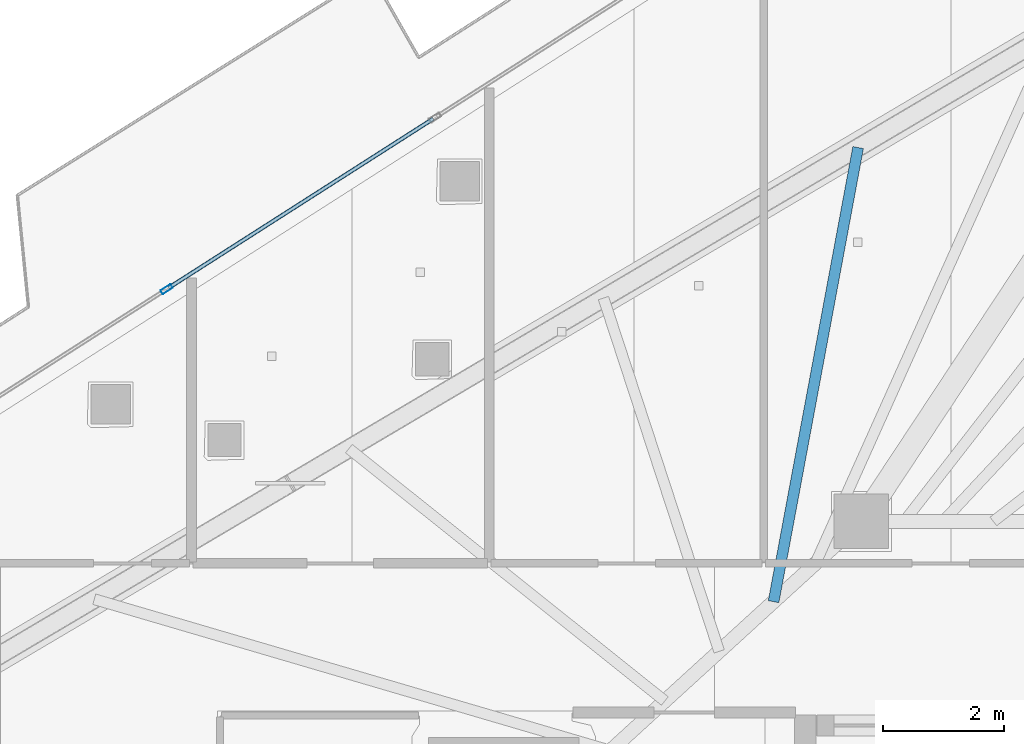
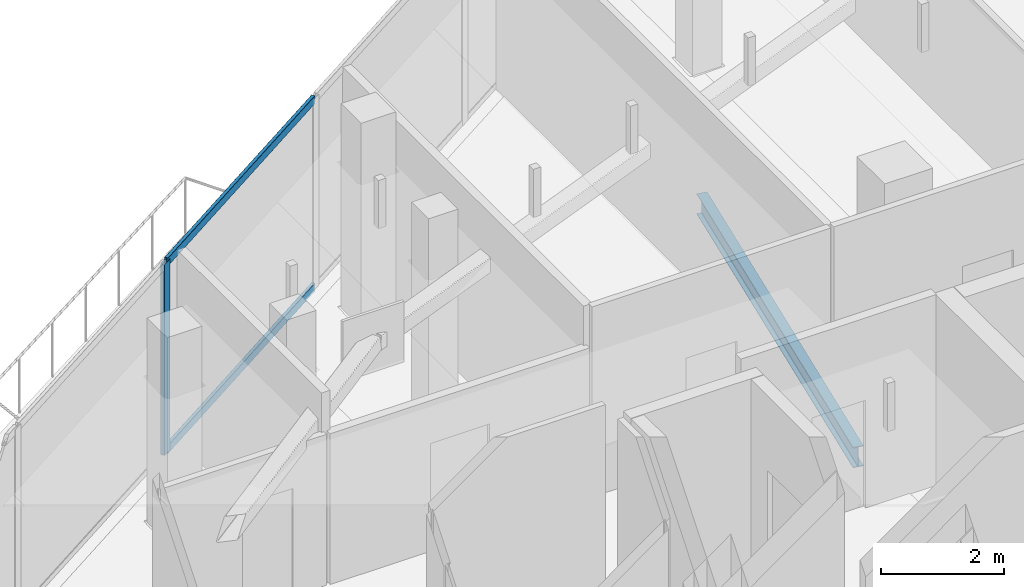
# One storey, part 20 of 40: 3 members, 1 beam, 1 element without a shape of its own.
"""IFC4 building model written with IfcOpenShell, lengths in metres."""

from ifc_helpers import new_model, si_unit, direction, frame, origin, origin_2d, place, context, subcontext, project, spatial, hollow_rectangle, i_section, extrude, material, layer, layer_set, material_profile, profile_set, type_object, element, aggregate, save


model = new_model("IFC4")

# Units and contexts
model_context = context("Model", 3, precision=1e-05, world=origin(), true_north=direction((0.0, 1.0)))
body_context = subcontext(model_context, "Body", "Model", "MODEL_VIEW")
ifc_project = project(units=[si_unit("LENGTHUNIT", "METRE"), si_unit("AREAUNIT", "SQUARE_METRE"), si_unit("VOLUMEUNIT", "CUBIC_METRE"), si_unit("PLANEANGLEUNIT", "RADIAN"), si_unit("MASSUNIT", "GRAM", prefix="KILO")], contexts=[model_context])

# Site, building, storey
site_placement = place(None, origin())
site = spatial("IfcSite", under=ifc_project, at=site_placement, CompositionType="ELEMENT")
building_placement = place(site_placement, origin())
building = spatial("IfcBuilding", under=site, at=building_placement, Name="Qorvath Tower", CompositionType="ELEMENT")
storey_placement = place(building_placement, frame((0.0, 0.0, 225.300048828125)))
storey = spatial("IfcBuildingStorey", under=building, at=storey_placement, Name="L52", CompositionType="ELEMENT", Elevation=225.300048828125)

# Beam
ifc_material_1 = material(Name="Steel ASTM A992 Grade 50", Category="steel")
ifc_material_profile_1 = material_profile(ifc_material_1, i_section(OverallWidth=0.177978515625, OverallDepth=0.406005859375, WebThickness=0.0078125, FlangeThickness=0.0126953125, FilletRadius=0.010986328125, at=origin_2d()), Name="W16x40")
ifc_profile_set_1 = profile_set([ifc_material_profile_1], Name="Steel ASTM A992 Grade 50")
beam_type = type_object("IfcBeamType", Name="BM-FJ3", PredefinedType="JOIST", material=ifc_profile_set_1)
beam_placement = place(storey_placement, frame((-25.049072265625, 10.126953125, -0.47314453125), z_axis=(0.183026775988, 0.983107928598, 0.0), x_axis=(-0.983107928598, 0.183026775988, 0.0)))
element("IfcBeam", 1, at=beam_placement, inside=storey, type_object=beam_type, Name="Composite Floor Joist NW6 L52", PredefinedType="JOIST", context=body_context, shape_type="SweptSolid", body=[
    extrude(i_section(OverallWidth=0.177978515625, OverallDepth=0.406005859375, WebThickness=0.0078125, FlangeThickness=0.0126953125, FilletRadius=0.010986328125, at=origin_2d()), origin(), (0.0, 0.0, 1.0), 7.617919921875),
])

# Curtain wall, members
ifc_material_2 = material(Name="Anodised aluminium and triple low-E glass", Category="aluminium")
ifc_layer = layer(ifc_material_2, 0.179931640625)
ifc_layer_set = layer_set([ifc_layer], Name="CW-SYS-5")
curtain_wall_type = type_object("IfcCurtainWallType", Name="CW-SYS-5", PredefinedType="NOTDEFINED", material=ifc_layer_set)
curtain_wall_placement = place(storey_placement, origin())
curtain_wall = element("IfcCurtainWall", 2, at=curtain_wall_placement, inside=storey, type_object=curtain_wall_type, Name="Curtain Wall CW-5 CW-T-L52-18.1", PredefinedType="NOTDEFINED")
ifc_material_3 = material(Name="Anodised aluminium 6063-T6", Category="aluminium")
ifc_material_profile_2 = material_profile(ifc_material_3, hollow_rectangle(XDim=0.074951171875, YDim=0.199951171875, WallThickness=0.00390625, InnerFilletRadius=0.00390625, OuterFilletRadius=0.008056640625, at=origin_2d()), Name="CWM 200x75")
ifc_profile_set_2 = profile_set([ifc_material_profile_2], Name="Anodised aluminium 6063-T6")
member_type_1 = type_object("IfcMemberType", Name="CWM-200", PredefinedType="MULLION", material=ifc_profile_set_2)
member_1_placement = place(storey_placement, frame((-35.057373046875, 15.281982421875, 0.0), z_axis=(0.0, 0.0, 1.0), x_axis=(0.538531098636, -0.842605634803, 0.0)))
member_1 = element("IfcMember", 3, at=member_1_placement, type_object=member_type_1, Name="CW-5 mullion 5", PredefinedType="MULLION", context=body_context, shape_type="SweptSolid", body=[
    extrude(hollow_rectangle(XDim=0.074951171875, YDim=0.199951171875, WallThickness=0.00390625, InnerFilletRadius=0.00390625, OuterFilletRadius=0.008056640625, at=origin_2d()), origin(), (0.0, 0.0, 1.0), 3.780029296875),
])
ifc_material_4 = material(Name="Anodised aluminium 6063-T6", Category="aluminium")
ifc_material_profile_3 = material_profile(ifc_material_4, hollow_rectangle(XDim=0.06494140625, YDim=0.159912109375, WallThickness=0.00341796875, InnerFilletRadius=0.00341796875, OuterFilletRadius=0.007080078125, at=origin_2d()), Name="CWT 160x65")
ifc_profile_set_3 = profile_set([ifc_material_profile_3], Name="Anodised aluminium 6063-T6")
member_type_2 = type_object("IfcMemberType", Name="CWT-160", PredefinedType="USERDEFINED", material=ifc_profile_set_3)
member_2_placement = place(storey_placement, frame((-30.662353515625, 18.0908203125, 0.032470703125), z_axis=(-0.842629113093, -0.538494361872, 0.0), x_axis=(0.538494361872, -0.842629113093, 0.0)))
member_2 = element("IfcMember", 4, at=member_2_placement, type_object=member_type_2, Name="CW-5 transom 4.1", ObjectType="TRANSOM", PredefinedType="USERDEFINED", context=body_context, shape_type="SweptSolid", body=[
    extrude(hollow_rectangle(XDim=0.06494140625, YDim=0.159912109375, WallThickness=0.00341796875, InnerFilletRadius=0.00341796875, OuterFilletRadius=0.007080078125, at=origin_2d()), origin(), (0.0, 0.0, 1.0), 5.178466796875),
])
member_3_placement = place(storey_placement, frame((-30.662353515625, 18.0908203125, 3.74755859375), z_axis=(-0.842629113093, -0.538494361872, 0.0), x_axis=(0.538494361872, -0.842629113093, 0.0)))
member_3 = element("IfcMember", 5, at=member_3_placement, type_object=member_type_2, Name="CW-5 transom 4.2", ObjectType="TRANSOM", PredefinedType="USERDEFINED", context=body_context, shape_type="SweptSolid", body=[
    extrude(hollow_rectangle(XDim=0.06494140625, YDim=0.159912109375, WallThickness=0.00341796875, InnerFilletRadius=0.00341796875, OuterFilletRadius=0.007080078125, at=origin_2d()), origin(), (0.0, 0.0, 1.0), 5.178466796875),
])
aggregate(curtain_wall, [member_1, member_2, member_3])

save(model, "model.ifc")
